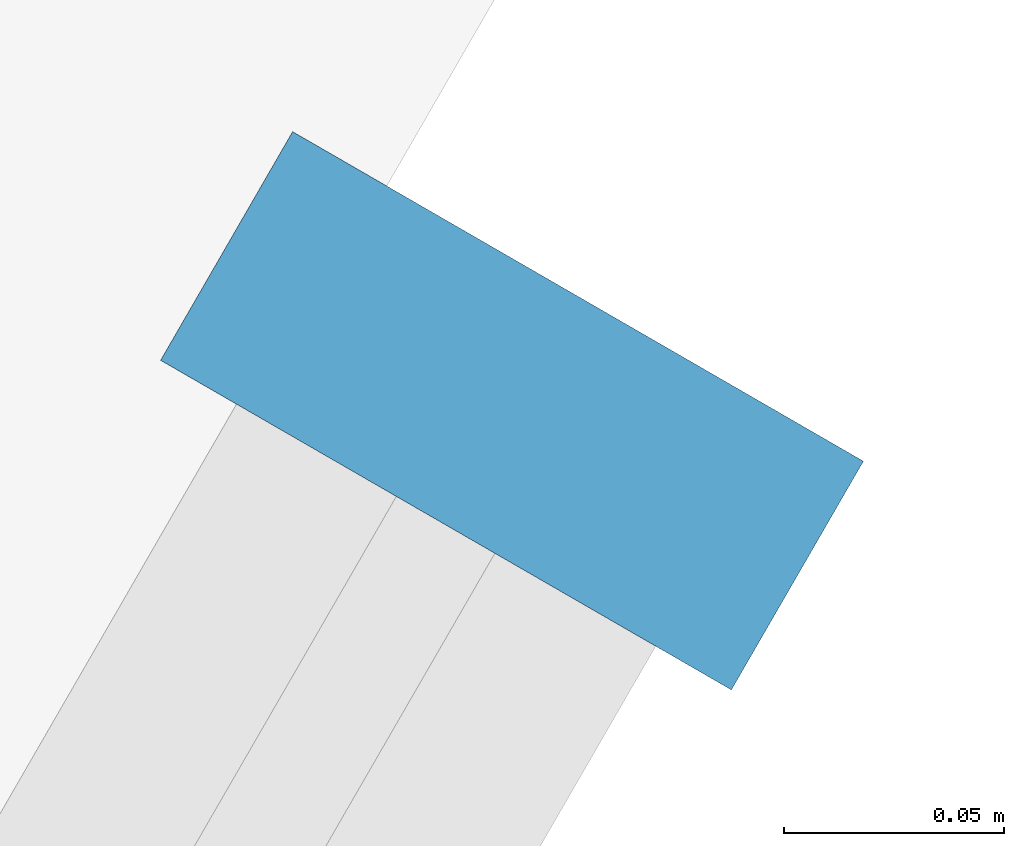
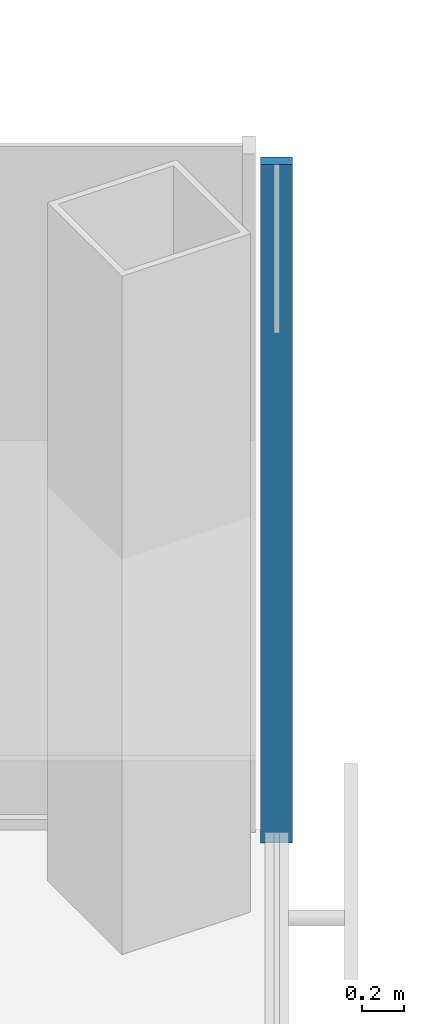
# One storey, part 9 of 18: 1 member, 1 element without a shape of its own.
"""IFC4 building model written with IfcOpenShell, lengths in metres."""

from ifc_helpers import new_model, si_unit, direction, frame, origin, origin_2d, place, context, subcontext, project, spatial, rectangle, extrude, material, material_profile, profile_set, type_object, element, aggregate, save


model = new_model("IFC4")

# Units and contexts
model_context = context("Model", 3, precision=1e-05, world=origin(), true_north=direction((0.0, 1.0)))
body_context = subcontext(model_context, "Body", "Model", "MODEL_VIEW")
ifc_project = project(units=[si_unit("LENGTHUNIT", "METRE"), si_unit("AREAUNIT", "SQUARE_METRE"), si_unit("VOLUMEUNIT", "CUBIC_METRE"), si_unit("PLANEANGLEUNIT", "RADIAN"), si_unit("MASSUNIT", "GRAM", prefix="KILO")], contexts=[model_context])

# Site, building, storey
site_placement = place(None, origin())
site = spatial("IfcSite", under=ifc_project, at=site_placement, CompositionType="ELEMENT")
building_placement = place(site_placement, origin())
building = spatial("IfcBuilding", under=site, at=building_placement, Name="Kasaneha Research Tower", CompositionType="ELEMENT")
storey_placement = place(building_placement, frame((0.0, 0.0, 199.39990234375)))
storey = spatial("IfcBuildingStorey", under=building, at=storey_placement, Name="L50", CompositionType="ELEMENT", Elevation=199.39990234375)

# Curtain wall, member
ifc_material_1 = material(Name="Glass and aluminium", Category="aluminium")
curtain_wall_type = type_object("IfcCurtainWallType", Name="Mid-rise office curtain wall", PredefinedType="USERDEFINED", material=ifc_material_1)
curtain_wall_placement = place(storey_placement, origin())
curtain_wall = element("IfcCurtainWall", 1, at=curtain_wall_placement, inside=storey, type_object=curtain_wall_type, Name="CW-O2 L50 run 04a", ObjectType="UNITISED CURTAIN WALL", PredefinedType="USERDEFINED")
ifc_material_2 = material(Name="Aluminium 6063-T6", Category="aluminium")
ifc_material_profile = material_profile(ifc_material_2, rectangle(XDim=0.06005859375, YDim=0.14990234375, at=origin_2d()), Name="CW-O2 mullion 60x150")
ifc_profile_set = profile_set([ifc_material_profile], Name="Aluminium 6063-T6")
member_type = type_object("IfcMemberType", Name="CW-O2 mullion", PredefinedType="MULLION", material=ifc_profile_set)
member_placement = place(storey_placement, frame((32.012939453125, -6.39306640625, 0.0), z_axis=(0.0, 0.0, 1.0), x_axis=(0.500000011442, 0.866025397178, 0.0)))
member = element("IfcMember", 2, at=member_placement, type_object=member_type, Name="CW-O2 mullion 4", PredefinedType="MULLION", context=body_context, shape_type="SweptSolid", body=[
    extrude(rectangle(XDim=0.06005859375, YDim=0.14990234375, at=origin_2d()), origin(), (0.0, 0.0, 1.0), 3.900146484375),
])
aggregate(curtain_wall, [member])

save(model, "model.ifc")
